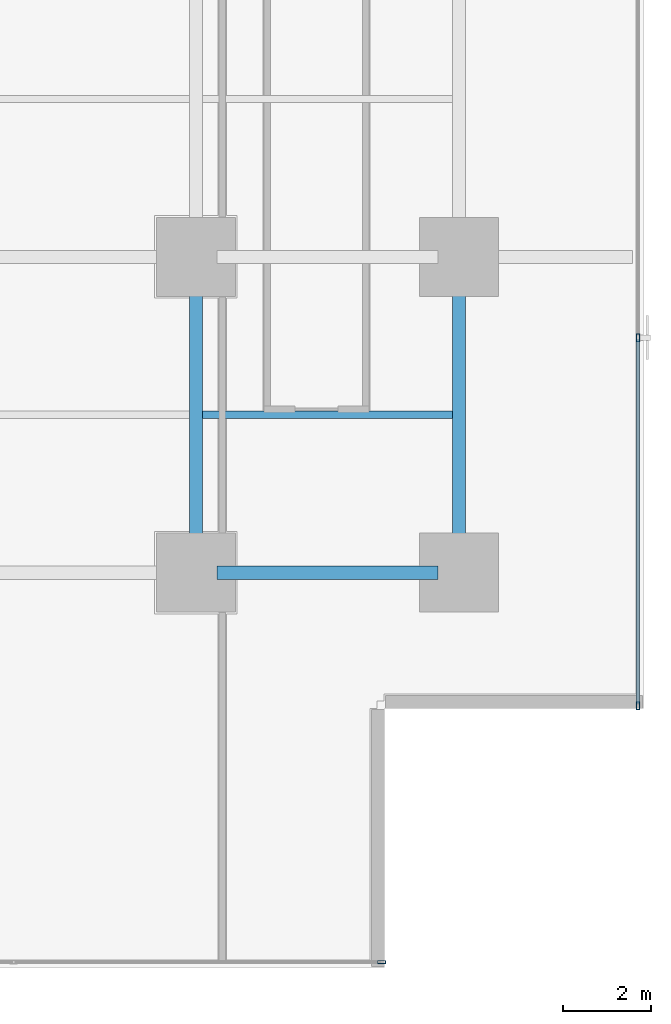
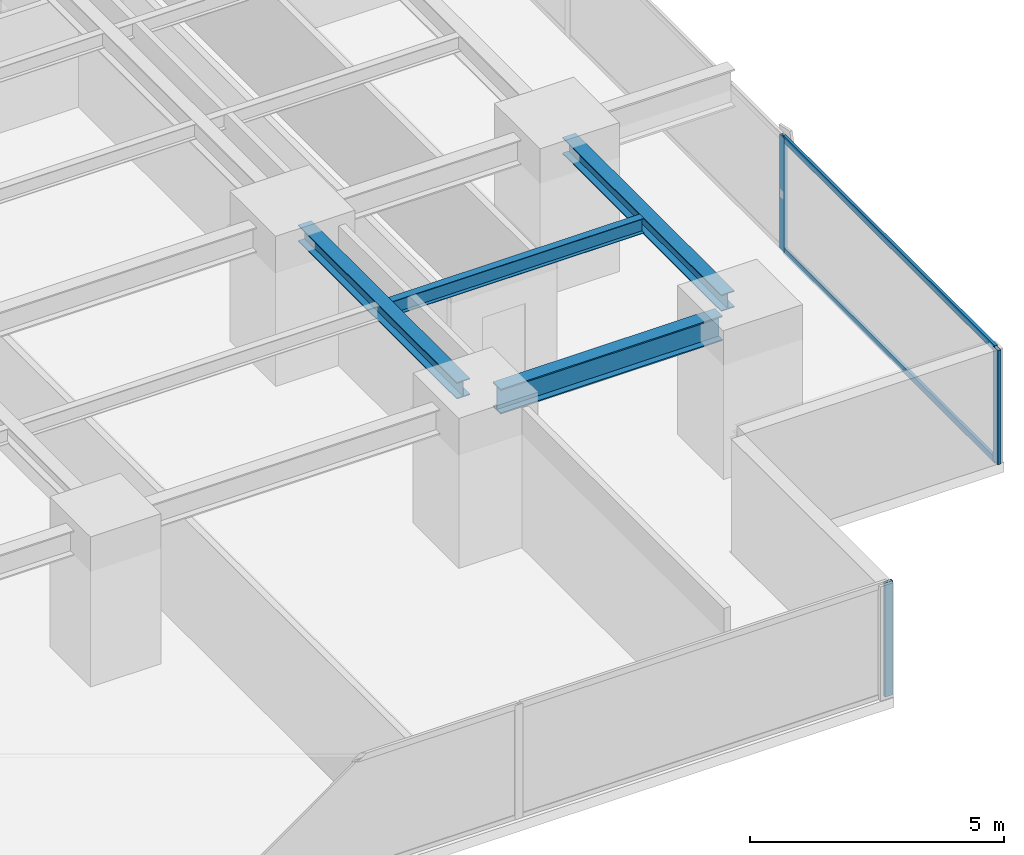
# One storey, part 12 of 32: 5 members, 4 beams, 2 elements without a shape of their own.
"""IFC4 building model written with IfcOpenShell, lengths in metres."""

from ifc_helpers import new_model, si_unit, direction, frame, origin, origin_2d, place, context, subcontext, project, spatial, hollow_rectangle, i_section, extrude, source, transform, mapped, material, layer, layer_set, material_profile, profile_set, type_object, element, aggregate, save


model = new_model("IFC4")

# Units and contexts
model_context = context("Model", 3, precision=1e-05, world=origin(), true_north=direction((0.0, 1.0)))
body_context = subcontext(model_context, "Body", "Model", "MODEL_VIEW")
ifc_project = project(units=[si_unit("LENGTHUNIT", "METRE"), si_unit("AREAUNIT", "SQUARE_METRE"), si_unit("VOLUMEUNIT", "CUBIC_METRE"), si_unit("PLANEANGLEUNIT", "RADIAN"), si_unit("MASSUNIT", "GRAM", prefix="KILO")], contexts=[model_context])

# Site, building, storey
site_placement = place(None, origin())
site = spatial("IfcSite", under=ifc_project, at=site_placement, CompositionType="ELEMENT")
building_placement = place(site_placement, origin())
building = spatial("IfcBuilding", under=site, at=building_placement, Name="Sumidabori Civic Tower", CompositionType="ELEMENT")
storey_placement = place(building_placement, frame((0.0, 0.0, 52.39990234375)))
storey = spatial("IfcBuildingStorey", under=building, at=storey_placement, Name="L13", CompositionType="ELEMENT", Elevation=52.39990234375)

# Beams
ifc_material_1 = material(Name="Steel SN490", Category="steel")
ifc_material_profile_1 = material_profile(ifc_material_1, i_section(OverallWidth=0.300048828125, OverallDepth=0.60009765625, WebThickness=0.015380859375, FlangeThickness=0.030029296875, at=origin_2d()), Name="HE 600 B")
ifc_profile_set_1 = profile_set([ifc_material_profile_1], Name="Steel SN490")
beam_type_1 = type_object("IfcBeamType", Name="BM-GIRD-600", PredefinedType="BEAM", material=ifc_profile_set_1)
shared_shape_1 = source(origin(), body_context, "Body", "SweptSolid", [
    extrude(i_section(OverallWidth=0.300048828125, OverallDepth=0.60009765625, WebThickness=0.015380859375, FlangeThickness=0.030029296875, at=origin_2d()), origin(), (0.0, 0.0, 1.0), 5.0400390625),
])
beam_1_placement = place(storey_placement, frame((17.280029296875, -18.0, 3.06005859375), z_axis=(1.0, 0.0, 0.0), x_axis=(0.0, 1.0, 0.0)))
element("IfcBeam", 1, at=beam_1_placement, inside=storey, type_object=beam_type_1, Name="Primary Girder L13 GX-06", PredefinedType="BEAM", context=body_context, shape_type="MappedRepresentation", body=[
    mapped(shared_shape_1, transform((0.0, 0.0, 0.0), x_axis=(1.0, 0.0, 0.0), y_axis=(0.0, 1.0, 0.0), z_axis=(0.0, 0.0, 1.0), scale=1.0)),
])
ifc_material_profile_2 = material_profile(ifc_material_1, i_section(OverallWidth=0.300048828125, OverallDepth=0.39990234375, WebThickness=0.013427734375, FlangeThickness=0.02392578125, at=origin_2d()), Name="HE 400 B")
ifc_profile_set_2 = profile_set([ifc_material_profile_2], Name="Steel SN490")
beam_type_2 = type_object("IfcBeamType", Name="BM-GIRD-400", PredefinedType="BEAM", material=ifc_profile_set_2)
shared_shape_2 = source(origin(), body_context, "Body", "SweptSolid", [
    extrude(i_section(OverallWidth=0.300048828125, OverallDepth=0.39990234375, WebThickness=0.013427734375, FlangeThickness=0.02392578125, at=origin_2d()), origin(), (0.0, 0.0, 1.0), 6.239990234375),
])
for number, where, z_axis, x_axis, name in (
    (2, (16.800048828125, -17.52001953125, 3.16015625), (0.0, 1.0, 0.0), (-1.0, 0.0, 0.0), "Primary Girder L13 GY-35"),
    (3, (22.800048828125, -17.52001953125, 3.16015625), (0.0, 1.0, 0.0), (-1.0, 0.0, 0.0), "Primary Girder L13 GY-39"),
):
    element("IfcBeam", number, at=place(storey_placement, frame(where, z_axis=z_axis, x_axis=x_axis)), inside=storey, type_object=beam_type_2, Name=name, PredefinedType="BEAM", context=body_context, shape_type="MappedRepresentation", body=[
        mapped(shared_shape_2, transform((0.0, 0.0, 0.0), x_axis=(1.0, 0.0, 0.0), y_axis=(0.0, 1.0, 0.0), z_axis=(0.0, 0.0, 1.0), scale=1.0)),
    ])
ifc_material_profile_3 = material_profile(ifc_material_1, i_section(OverallWidth=0.169921875, OverallDepth=0.360107421875, WebThickness=0.008056640625, FlangeThickness=0.0126953125, at=origin_2d()), Name="IPE 360")
ifc_profile_set_3 = profile_set([ifc_material_profile_3], Name="Steel SN490")
beam_type_3 = type_object("IfcBeamType", Name="BM-JST-360", PredefinedType="JOIST", material=ifc_profile_set_3)
shared_shape_3 = source(origin(), body_context, "Body", "SweptSolid", [
    extrude(i_section(OverallWidth=0.169921875, OverallDepth=0.360107421875, WebThickness=0.008056640625, FlangeThickness=0.0126953125, at=origin_2d()), origin(), (0.0, 0.0, 1.0), 5.699951171875),
])
beam_2_placement = place(storey_placement, frame((16.949951171875, -14.39990234375, 3.18017578125), z_axis=(1.0, 0.0, 0.0), x_axis=(0.0, 1.0, 0.0)))
element("IfcBeam", 4, at=beam_2_placement, inside=storey, type_object=beam_type_3, Name="Outer Bay Floor Joist L13 JSTO-58", PredefinedType="JOIST", context=body_context, shape_type="MappedRepresentation", body=[
    mapped(shared_shape_3, transform((0.0, 0.0, 0.0), x_axis=(1.0, 0.0, 0.0), y_axis=(0.0, 1.0, 0.0), z_axis=(0.0, 0.0, 1.0), scale=1.0)),
])

# Curtain wall, member
ifc_material_2 = material(Name="Anodised Bronze Aluminium AW-6063-T6", Category="aluminium")
ifc_layer = layer(ifc_material_2, 0.179931640625, Name="Anodised Bronze Aluminium AW-6063-T6")
ifc_layer_set = layer_set([ifc_layer], Name="Anodised Bronze Aluminium AW-6063-T6")
curtain_wall_type = type_object("IfcCurtainWallType", Name="CW-SYS-2", PredefinedType="NOTDEFINED", material=ifc_layer_set)
curtain_wall_1_placement = place(storey_placement, origin())
curtain_wall_1 = element("IfcCurtainWall", 5, at=curtain_wall_1_placement, inside=storey, type_object=curtain_wall_type, Name="Curtain Wall CW:L13:R01", PredefinedType="NOTDEFINED")
ifc_material_profile_4 = material_profile(ifc_material_2, hollow_rectangle(XDim=0.070068359375, YDim=0.179931640625, WallThickness=0.006103515625, at=origin_2d()), Name="ALU MULLION 180x70")
ifc_profile_set_4 = profile_set([ifc_material_profile_4], Name="Anodised Bronze Aluminium AW-6063-T6")
member_type_1 = type_object("IfcMemberType", Name="CW-MUL-180", PredefinedType="MULLION", material=ifc_profile_set_4)
shared_shape_4 = source(origin(), body_context, "Body", "SweptSolid", [
    extrude(hollow_rectangle(XDim=0.070068359375, YDim=0.179931640625, WallThickness=0.006103515625, at=origin_2d()), origin(), (0.0, 0.0, 1.0), 2.739990234375),
])
member_1_placement = place(storey_placement, frame((21.034912109375, -26.8798828125, 0.0), z_axis=(0.0, 0.0, 1.0), x_axis=(0.0, 1.0, 0.0)))
member_1 = element("IfcMember", 6, at=member_1_placement, type_object=member_type_1, Name="CW-2 mullion 6", PredefinedType="MULLION", context=body_context, shape_type="MappedRepresentation", body=[
    mapped(shared_shape_4, transform((0.0, 0.0, 0.0), x_axis=(1.0, 0.0, 0.0), y_axis=(0.0, 1.0, 0.0), z_axis=(0.0, 0.0, 1.0), scale=1.0)),
])
aggregate(curtain_wall_1, [member_1])

# Curtain wall, members
curtain_wall_2_placement = place(storey_placement, origin())
curtain_wall_2 = element("IfcCurtainWall", 7, at=curtain_wall_2_placement, inside=storey, type_object=curtain_wall_type, Name="Curtain Wall CW:L13:R04", PredefinedType="NOTDEFINED")
member_2_placement = place(storey_placement, frame((26.8798828125, -21.034912109375, 0.0), z_axis=(0.0, 0.0, 1.0), x_axis=(-1.0, 0.0, 0.0)))
member_2 = element("IfcMember", 8, at=member_2_placement, type_object=member_type_1, Name="CW-2 mullion 1", PredefinedType="MULLION", context=body_context, shape_type="MappedRepresentation", body=[
    mapped(shared_shape_4, transform((0.0, 0.0, 0.0), x_axis=(1.0, 0.0, 0.0), y_axis=(0.0, 1.0, 0.0), z_axis=(0.0, 0.0, 1.0), scale=1.0)),
])
member_3_placement = place(storey_placement, frame((26.8798828125, -12.64208984375, 0.0), z_axis=(0.0, 0.0, 1.0), x_axis=(-1.0, 0.0, 0.0)))
member_3 = element("IfcMember", 9, at=member_3_placement, type_object=member_type_1, Name="CW-2 mullion 2", PredefinedType="MULLION", context=body_context, shape_type="MappedRepresentation", body=[
    mapped(shared_shape_4, transform((0.0, 0.0, 0.0), x_axis=(1.0, 0.0, 0.0), y_axis=(0.0, 1.0, 0.0), z_axis=(0.0, 0.0, 1.0), scale=1.0)),
])
ifc_material_profile_5 = material_profile(ifc_material_2, hollow_rectangle(XDim=0.06494140625, YDim=0.14990234375, WallThickness=0.0048828125, at=origin_2d()), Name="ALU TRANSOM 150x65")
ifc_profile_set_5 = profile_set([ifc_material_profile_5], Name="Anodised Bronze Aluminium AW-6063-T6")
member_type_2 = type_object("IfcMemberType", Name="CW-TRN-150", PredefinedType="USERDEFINED", material=ifc_profile_set_5)
shared_shape_5 = source(origin(), body_context, "Body", "SweptSolid", [
    extrude(hollow_rectangle(XDim=0.06494140625, YDim=0.14990234375, WallThickness=0.0048828125, at=origin_2d()), origin(), (0.0, 0.0, 1.0), 8.322998046875),
])
member_4_placement = place(storey_placement, frame((26.8798828125, -21.0, 0.03271484375), z_axis=(0.0, 1.0, 0.0), x_axis=(-1.0, 0.0, 0.0)))
member_4 = element("IfcMember", 10, at=member_4_placement, type_object=member_type_2, Name="CW-2 transom 1.1", ObjectType="TRANSOM", PredefinedType="USERDEFINED", context=body_context, shape_type="MappedRepresentation", body=[
    mapped(shared_shape_5, transform((0.0, 0.0, 0.0), x_axis=(1.0, 0.0, 0.0), y_axis=(0.0, 1.0, 0.0), z_axis=(0.0, 0.0, 1.0), scale=1.0)),
])
member_5_placement = place(storey_placement, frame((26.8798828125, -21.0, 2.70751953125), z_axis=(0.0, 1.0, 0.0), x_axis=(-1.0, 0.0, 0.0)))
member_5 = element("IfcMember", 11, at=member_5_placement, type_object=member_type_2, Name="CW-2 transom 1.2", ObjectType="TRANSOM", PredefinedType="USERDEFINED", context=body_context, shape_type="MappedRepresentation", body=[
    mapped(shared_shape_5, transform((0.0, 0.0, 0.0), x_axis=(1.0, 0.0, 0.0), y_axis=(0.0, 1.0, 0.0), z_axis=(0.0, 0.0, 1.0), scale=1.0)),
])
aggregate(curtain_wall_2, [member_2, member_3, member_4, member_5])

save(model, "model.ifc")
